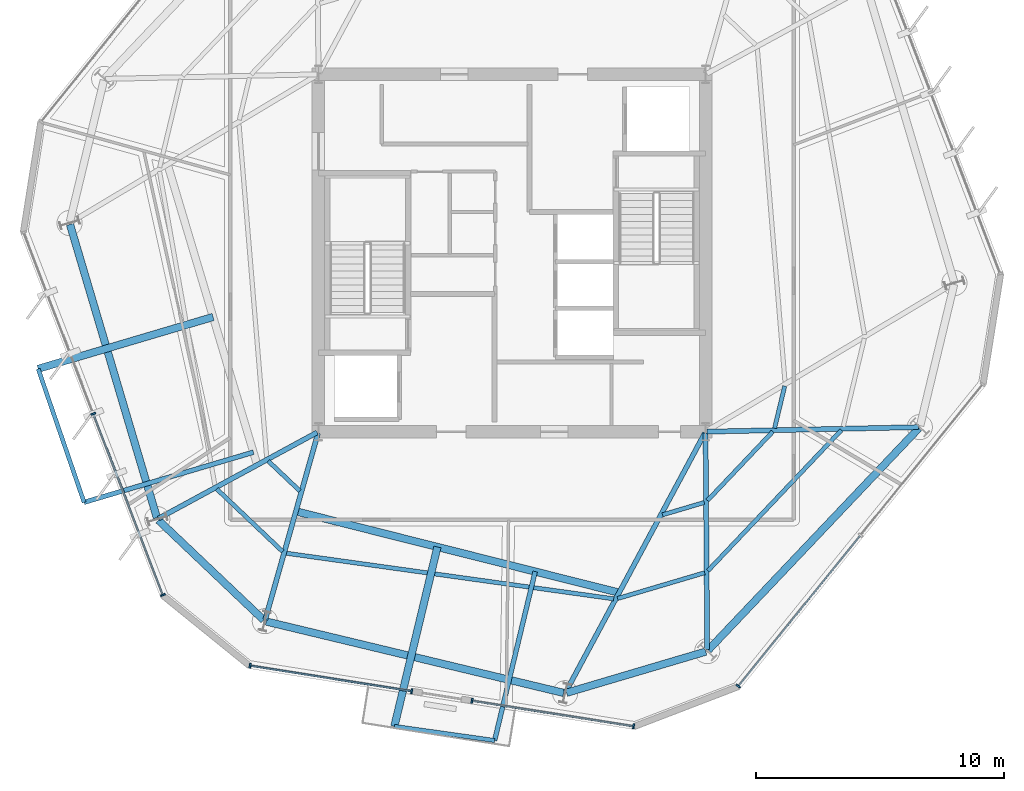
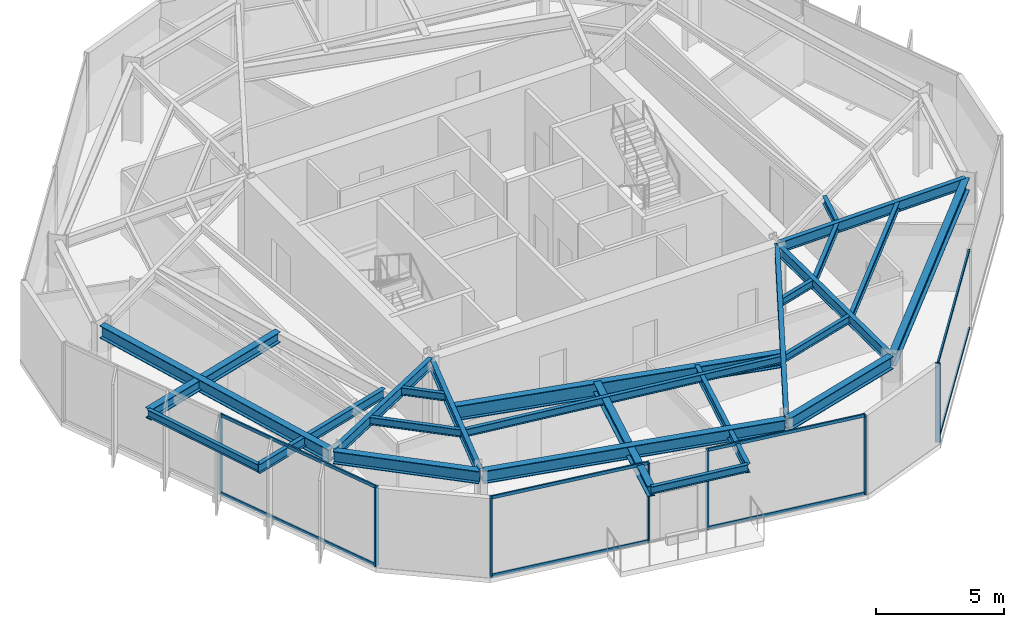
# One storey, part 2 of 11: 25 beams, 15 members, 4 elements without a shape of their own.
"""IFC4 building model written with IfcOpenShell, lengths in metres."""

from ifc_helpers import new_model, si_unit, direction, frame, origin, origin_2d, place, context, subcontext, project, spatial, rectangle, i_section, extrude, material, layer, layer_set, material_profile, profile_set, type_object, element, aggregate, save


model = new_model("IFC4")

# Units and contexts
model_context = context("Model", 3, precision=1e-05, world=origin(), true_north=direction((0.0, 1.0)))
body_context = subcontext(model_context, "Body", "Model", "MODEL_VIEW")
ifc_project = project(units=[si_unit("LENGTHUNIT", "METRE"), si_unit("AREAUNIT", "SQUARE_METRE"), si_unit("VOLUMEUNIT", "CUBIC_METRE"), si_unit("PLANEANGLEUNIT", "RADIAN"), si_unit("MASSUNIT", "GRAM", prefix="KILO")], contexts=[model_context])

# Site, building, storey
site_placement = place(None, origin())
site = spatial("IfcSite", under=ifc_project, at=site_placement, CompositionType="ELEMENT")
building_placement = place(site_placement, origin())
building = spatial("IfcBuilding", under=site, at=building_placement, Name="Kranzbogen Civic Tower", CompositionType="ELEMENT")
storey_placement = place(building_placement, frame((0.0, 0.0, 228.800048828125)))
storey = spatial("IfcBuildingStorey", under=building, at=storey_placement, Name="L55", CompositionType="ELEMENT", Elevation=228.800048828125)

# Beams
ifc_material_1 = material(Name="Steel S355", Category="steel")
ifc_material_profile_1 = material_profile(ifc_material_1, i_section(OverallWidth=0.18994140625, OverallDepth=0.449951171875, WebThickness=0.009521484375, FlangeThickness=0.0146484375, at=origin_2d()), Name="IPE 450")
ifc_profile_set_1 = profile_set([ifc_material_profile_1], Name="Steel S355")
beam_type_1 = type_object("IfcBeamType", Name="Braced Terrace Edge Beam IPE 450", PredefinedType="BEAM", material=ifc_profile_set_1)
beam_1_placement = place(storey_placement, frame((25.93310546875, 12.1640625, 3.52490234375), z_axis=(-0.233384821969, -0.972384453225, 0.0), x_axis=(0.972384453225, -0.233384821969, 0.0)))
element("IfcBeam", 1, at=beam_1_placement, inside=storey, type_object=beam_type_1, Name="L56 back-spanned terrace beam L56-TB2-2", PredefinedType="BEAM", context=body_context, shape_type="SweptSolid", body=[
    extrude(i_section(OverallWidth=0.18994140625, OverallDepth=0.449951171875, WebThickness=0.009521484375, FlangeThickness=0.0146484375, at=origin_2d()), origin(), (0.0, 0.0, 1.0), 7.00146484375),
])
beam_2_placement = place(storey_placement, frame((14.580078125, 16.97412109375, 3.494873046875), z_axis=(-0.958801920345, -0.284075478601, 0.0), x_axis=(0.284075478601, -0.958801920345, 0.0)))
element("IfcBeam", 2, at=beam_2_placement, inside=storey, type_object=beam_type_1, Name="L56 back-spanned terrace beam L56-ST-2", PredefinedType="BEAM", context=body_context, shape_type="SweptSolid", body=[
    extrude(i_section(OverallWidth=0.18994140625, OverallDepth=0.449951171875, WebThickness=0.009521484375, FlangeThickness=0.0146484375, at=origin_2d()), origin(), (0.0, 0.0, 1.0), 7.115234375),
])

# Curtain wall, members
ifc_material_2 = material(Name="Pale Anodised Aluminium", Category="aluminium")
ifc_layer = layer(ifc_material_2, 0.219970703125, Name="Pale Anodised Aluminium")
ifc_layer_set = layer_set([ifc_layer], Name="Pale Anodised Aluminium")
curtain_wall_type = type_object("IfcCurtainWallType", Name="Zone 3 Stick Curtain Wall System CW-04", PredefinedType="USERDEFINED", material=ifc_layer_set)
curtain_wall_1_placement = place(storey_placement, origin())
curtain_wall_1 = element("IfcCurtainWall", 3, at=curtain_wall_1_placement, inside=storey, type_object=curtain_wall_type, Name="L55 curtain wall CW-L55-F3", ObjectType="STICK CURTAIN WALL", PredefinedType="USERDEFINED")
ifc_material_profile_2 = material_profile(ifc_material_2, rectangle(XDim=0.070068359375, YDim=0.199951171875, at=origin_2d()), Name="ALU-M 70x200")
ifc_profile_set_2 = profile_set([ifc_material_profile_2], Name="Pale Anodised Aluminium")
member_type_1 = type_object("IfcMemberType", Name="Curtain Wall Mullion ALU-M 70x200", PredefinedType="MULLION", material=ifc_profile_set_2)
member_1_placement = place(storey_placement, frame((8.12841796875, 18.5234375, 0.0), z_axis=(0.0, 0.0, 1.0), x_axis=(0.3583476378, -0.933588223192, 0.0)))
member_1 = element("IfcMember", 4, at=member_1_placement, type_object=member_type_1, Name="CW-04 mullion 2", PredefinedType="MULLION", context=body_context, shape_type="SweptSolid", body=[
    extrude(rectangle(XDim=0.070068359375, YDim=0.199951171875, at=origin_2d()), origin(), (0.0, 0.0, 1.0), 3.780029296875),
])
member_2_placement = place(storey_placement, frame((10.93212890625, 11.218994140625, 0.0), z_axis=(0.0, 0.0, 1.0), x_axis=(0.3583476378, -0.933588223192, 0.0)))
member_2 = element("IfcMember", 5, at=member_2_placement, type_object=member_type_1, Name="CW-04 mullion 3", PredefinedType="MULLION", context=body_context, shape_type="SweptSolid", body=[
    extrude(rectangle(XDim=0.070068359375, YDim=0.199951171875, at=origin_2d()), origin(), (0.0, 0.0, 1.0), 3.780029296875),
])

curtain_wall_2_placement = place(storey_placement, origin())
curtain_wall_2 = element("IfcCurtainWall", 6, at=curtain_wall_2_placement, inside=storey, type_object=curtain_wall_type, Name="L55 curtain wall CW-L55-F4-S1", ObjectType="STICK CURTAIN WALL", PredefinedType="USERDEFINED")
member_3_placement = place(storey_placement, frame((14.445556640625, 8.374267578125, 0.0), z_axis=(0.0, 0.0, 1.0), x_axis=(0.987709289801, -0.156302139592, 0.0)))
member_3 = element("IfcMember", 7, at=member_3_placement, type_object=member_type_1, Name="CW-04 mullion 1", PredefinedType="MULLION", context=body_context, shape_type="SweptSolid", body=[
    extrude(rectangle(XDim=0.070068359375, YDim=0.199951171875, at=origin_2d()), origin(), (0.0, 0.0, 1.0), 3.780029296875),
])
member_4_placement = place(storey_placement, frame((20.958251953125, 7.34375, 0.0), z_axis=(0.0, 0.0, 1.0), x_axis=(0.987709289801, -0.156302139592, 0.0)))
member_4 = element("IfcMember", 8, at=member_4_placement, type_object=member_type_1, Name="CW-04 mullion 2", PredefinedType="MULLION", context=body_context, shape_type="SweptSolid", body=[
    extrude(rectangle(XDim=0.070068359375, YDim=0.199951171875, at=origin_2d()), origin(), (0.0, 0.0, 1.0), 3.780029296875),
])

curtain_wall_3_placement = place(storey_placement, origin())
curtain_wall_3 = element("IfcCurtainWall", 9, at=curtain_wall_3_placement, inside=storey, type_object=curtain_wall_type, Name="L55 curtain wall CW-L55-F4-S2", ObjectType="STICK CURTAIN WALL", PredefinedType="USERDEFINED")
member_5_placement = place(storey_placement, frame((23.3876953125, 6.958251953125, 0.0), z_axis=(0.0, 0.0, 1.0), x_axis=(0.987709289801, -0.156302139592, 0.0)))
member_5 = element("IfcMember", 10, at=member_5_placement, type_object=member_type_1, Name="CW-04 mullion 1", PredefinedType="MULLION", context=body_context, shape_type="SweptSolid", body=[
    extrude(rectangle(XDim=0.070068359375, YDim=0.199951171875, at=origin_2d()), origin(), (0.0, 0.0, 1.0), 3.780029296875),
])
member_6_placement = place(storey_placement, frame((29.900390625, 5.927734375, 0.0), z_axis=(0.0, 0.0, 1.0), x_axis=(0.987709289801, -0.156302139592, 0.0)))
member_6 = element("IfcMember", 11, at=member_6_placement, type_object=member_type_1, Name="CW-04 mullion 2", PredefinedType="MULLION", context=body_context, shape_type="SweptSolid", body=[
    extrude(rectangle(XDim=0.070068359375, YDim=0.199951171875, at=origin_2d()), origin(), (0.0, 0.0, 1.0), 3.780029296875),
])

# Curtain wall, member
curtain_wall_4_placement = place(storey_placement, origin())
curtain_wall_4 = element("IfcCurtainWall", 12, at=curtain_wall_4_placement, inside=storey, type_object=curtain_wall_type, Name="L55 curtain wall CW-L55-F5", ObjectType="STICK CURTAIN WALL", PredefinedType="USERDEFINED")
member_7_placement = place(storey_placement, frame((34.119873046875, 7.54638671875, 0.0), z_axis=(0.0, 0.0, 1.0), x_axis=(0.629357543601, 0.777115874444, 0.0)))
member_7 = element("IfcMember", 13, at=member_7_placement, type_object=member_type_1, Name="CW-04 mullion 1", PredefinedType="MULLION", context=body_context, shape_type="SweptSolid", body=[
    extrude(rectangle(XDim=0.070068359375, YDim=0.199951171875, at=origin_2d()), origin(), (0.0, 0.0, 1.0), 3.780029296875),
])

# Member
ifc_material_profile_3 = material_profile(ifc_material_2, rectangle(XDim=0.070068359375, YDim=0.14990234375, at=origin_2d()), Name="ALU-T 70x150")
ifc_profile_set_3 = profile_set([ifc_material_profile_3], Name="Pale Anodised Aluminium")
member_type_2 = type_object("IfcMemberType", Name="Curtain Wall Transom ALU-T 70x150", PredefinedType="USERDEFINED", material=ifc_profile_set_3)
member_8_placement = place(storey_placement, frame((8.13916015625, 18.49560546875, 0.030029296875), z_axis=(0.358342647963, -0.933590138471, 0.0), x_axis=(0.933590138471, 0.358342647963, 0.0)))
member_8 = element("IfcMember", 14, at=member_8_placement, type_object=member_type_2, Name="CW-04 transom 2.1", ObjectType="TRANSOM", PredefinedType="USERDEFINED", context=body_context, shape_type="SweptSolid", body=[
    extrude(rectangle(XDim=0.070068359375, YDim=0.14990234375, at=origin_2d()), origin(), (0.0, 0.0, 1.0), 7.76416015625),
])

member_9_placement = place(storey_placement, frame((8.13916015625, 18.49560546875, 3.75), z_axis=(0.358342647963, -0.933590138471, 0.0), x_axis=(0.933590138471, 0.358342647963, 0.0)))
member_9 = element("IfcMember", 15, at=member_9_placement, type_object=member_type_2, Name="CW-04 transom 2.2", ObjectType="TRANSOM", PredefinedType="USERDEFINED", context=body_context, shape_type="SweptSolid", body=[
    extrude(rectangle(XDim=0.070068359375, YDim=0.14990234375, at=origin_2d()), origin(), (0.0, 0.0, 1.0), 7.76416015625),
])

aggregate(curtain_wall_1, [member_1, member_2, member_8, member_9])

member_10_placement = place(storey_placement, frame((14.475341796875, 8.36962890625, 0.030029296875), z_axis=(0.987708977314, -0.156304114255, 0.0), x_axis=(0.156304114255, 0.987708977314, 0.0)))
member_10 = element("IfcMember", 16, at=member_10_placement, type_object=member_type_2, Name="CW-04 transom 1.1", ObjectType="TRANSOM", PredefinedType="USERDEFINED", context=body_context, shape_type="SweptSolid", body=[
    extrude(rectangle(XDim=0.070068359375, YDim=0.14990234375, at=origin_2d()), origin(), (0.0, 0.0, 1.0), 6.53369140625),
])

member_11_placement = place(storey_placement, frame((14.475341796875, 8.36962890625, 3.75), z_axis=(0.987708977314, -0.156304114255, 0.0), x_axis=(0.156304114255, 0.987708977314, 0.0)))
member_11 = element("IfcMember", 17, at=member_11_placement, type_object=member_type_2, Name="CW-04 transom 1.2", ObjectType="TRANSOM", PredefinedType="USERDEFINED", context=body_context, shape_type="SweptSolid", body=[
    extrude(rectangle(XDim=0.070068359375, YDim=0.14990234375, at=origin_2d()), origin(), (0.0, 0.0, 1.0), 6.53369140625),
])

aggregate(curtain_wall_2, [member_3, member_4, member_10, member_11])

member_12_placement = place(storey_placement, frame((23.417236328125, 6.95361328125, 0.030029296875), z_axis=(0.987709890164, -0.156298345712, 0.0), x_axis=(0.156298345712, 0.987709890164, 0.0)))
member_12 = element("IfcMember", 18, at=member_12_placement, type_object=member_type_2, Name="CW-04 transom 1.1", ObjectType="TRANSOM", PredefinedType="USERDEFINED", context=body_context, shape_type="SweptSolid", body=[
    extrude(rectangle(XDim=0.070068359375, YDim=0.14990234375, at=origin_2d()), origin(), (0.0, 0.0, 1.0), 6.533935546875),
])

member_13_placement = place(storey_placement, frame((23.417236328125, 6.95361328125, 3.75), z_axis=(0.987709890164, -0.156298345712, 0.0), x_axis=(0.156298345712, 0.987709890164, 0.0)))
member_13 = element("IfcMember", 19, at=member_13_placement, type_object=member_type_2, Name="CW-04 transom 1.2", ObjectType="TRANSOM", PredefinedType="USERDEFINED", context=body_context, shape_type="SweptSolid", body=[
    extrude(rectangle(XDim=0.070068359375, YDim=0.14990234375, at=origin_2d()), origin(), (0.0, 0.0, 1.0), 6.533935546875),
])

aggregate(curtain_wall_3, [member_5, member_6, member_12, member_13])

member_14_placement = place(storey_placement, frame((34.138671875, 7.569580078125, 0.030029296875), z_axis=(0.62935832297, 0.777115243261, 0.0), x_axis=(-0.777115243261, 0.62935832297, 0.0)))
member_14 = element("IfcMember", 20, at=member_14_placement, type_object=member_type_2, Name="CW-04 transom 1.1", ObjectType="TRANSOM", PredefinedType="USERDEFINED", context=body_context, shape_type="SweptSolid", body=[
    extrude(rectangle(XDim=0.070068359375, YDim=0.14990234375, at=origin_2d()), origin(), (0.0, 0.0, 1.0), 7.76416015625),
])

member_15_placement = place(storey_placement, frame((34.138671875, 7.569580078125, 3.75), z_axis=(0.62935832297, 0.777115243261, 0.0), x_axis=(-0.777115243261, 0.62935832297, 0.0)))
member_15 = element("IfcMember", 21, at=member_15_placement, type_object=member_type_2, Name="CW-04 transom 1.2", ObjectType="TRANSOM", PredefinedType="USERDEFINED", context=body_context, shape_type="SweptSolid", body=[
    extrude(rectangle(XDim=0.070068359375, YDim=0.14990234375, at=origin_2d()), origin(), (0.0, 0.0, 1.0), 7.76416015625),
])

aggregate(curtain_wall_4, [member_7, member_14, member_15])

# Beams
ifc_material_profile_4 = material_profile(ifc_material_1, i_section(OverallWidth=0.300048828125, OverallDepth=0.5, WebThickness=0.014404296875, FlangeThickness=0.028076171875, at=origin_2d()), Name="HEB 500")
ifc_profile_set_4 = profile_set([ifc_material_profile_4], Name="Steel S355")
beam_type_2 = type_object("IfcBeamType", Name="Perimeter Tube Spandrel Beam HEB 500", PredefinedType="SPANDREL", material=ifc_profile_set_4)
beam_3_placement = place(storey_placement, frame((21.9951171875, 13.156005859375, 3.5), z_axis=(-0.233426337976, -0.97237448791, 0.0), x_axis=(0.97237448791, -0.233426337976, 0.0)))
element("IfcBeam", 22, at=beam_3_placement, inside=storey, type_object=beam_type_2, Name="L56 back-spanned terrace beam L56-TB2-1", PredefinedType="SPANDREL", context=body_context, shape_type="SweptSolid", body=[
    extrude(i_section(OverallWidth=0.300048828125, OverallDepth=0.5, WebThickness=0.014404296875, FlangeThickness=0.028076171875, at=origin_2d()), origin(), (0.0, 0.0, 1.0), 7.4375),
])
beam_4_placement = place(storey_placement, frame((12.9541015625, 22.423095703125, 3.469970703125), z_axis=(-0.958768959023, -0.284186704852, 0.0), x_axis=(0.284186704852, -0.958768959023, 0.0)))
element("IfcBeam", 23, at=beam_4_placement, inside=storey, type_object=beam_type_2, Name="L56 back-spanned terrace beam L56-ST-1", PredefinedType="SPANDREL", context=body_context, shape_type="SweptSolid", body=[
    extrude(i_section(OverallWidth=0.300048828125, OverallDepth=0.5, WebThickness=0.014404296875, FlangeThickness=0.028076171875, at=origin_2d()), origin(), (0.0, 0.0, 1.0), 7.35107421875),
])
ifc_material_profile_5 = material_profile(ifc_material_1, i_section(OverallWidth=0.300048828125, OverallDepth=0.60009765625, WebThickness=0.015380859375, FlangeThickness=0.030029296875, at=origin_2d()), Name="HEB 600")
ifc_profile_set_5 = profile_set([ifc_material_profile_5], Name="Steel S355")
beam_type_3 = type_object("IfcBeamType", Name="Perimeter Tube Spandrel Beam HEB 600", PredefinedType="SPANDREL", material=ifc_profile_set_5)
beam_5_placement = place(storey_placement, frame((10.7509765625, 14.235107421875, 3.47998046875), z_axis=(0.725245206788, -0.688490660816, 0.0), x_axis=(0.688490660816, 0.725245206788, 0.0)))
element("IfcBeam", 24, at=beam_5_placement, inside=storey, type_object=beam_type_3, Name="L55 perimeter spandrel beam 01", PredefinedType="SPANDREL", context=body_context, shape_type="SweptSolid", body=[
    extrude(i_section(OverallWidth=0.300048828125, OverallDepth=0.60009765625, WebThickness=0.015380859375, FlangeThickness=0.030029296875, at=origin_2d()), origin(), (0.0, 0.0, 1.0), 5.85205078125),
])
beam_6_placement = place(storey_placement, frame((15.096923828125, 10.15087890625, 3.47998046875), z_axis=(0.972377592092, -0.233413406637, 0.0), x_axis=(0.233413406637, 0.972377592092, 0.0)))
element("IfcBeam", 25, at=beam_6_placement, inside=storey, type_object=beam_type_3, Name="L55 perimeter spandrel beam 02", PredefinedType="SPANDREL", context=body_context, shape_type="SweptSolid", body=[
    extrude(i_section(OverallWidth=0.300048828125, OverallDepth=0.60009765625, WebThickness=0.015380859375, FlangeThickness=0.030029296875, at=origin_2d()), origin(), (0.0, 0.0, 1.0), 12.32568359375),
])
beam_7_placement = place(storey_placement, frame((27.197998046875, 7.277099609375, 3.47998046875), z_axis=(0.9588296723, 0.283981794341, 0.0), x_axis=(-0.283981794341, 0.9588296723, 0.0)))
element("IfcBeam", 26, at=beam_7_placement, inside=storey, type_object=beam_type_3, Name="L55 perimeter spandrel beam 03", PredefinedType="SPANDREL", context=body_context, shape_type="SweptSolid", body=[
    extrude(i_section(OverallWidth=0.300048828125, OverallDepth=0.60009765625, WebThickness=0.015380859375, FlangeThickness=0.030029296875, at=origin_2d()), origin(), (0.0, 0.0, 1.0), 5.85205078125),
])
beam_8_placement = place(storey_placement, frame((32.907958984375, 9.0, 3.47998046875), z_axis=(0.688373497874, 0.725356414065, 0.0), x_axis=(-0.725356414065, 0.688373497874, 0.0)))
element("IfcBeam", 27, at=beam_8_placement, inside=storey, type_object=beam_type_3, Name="L55 perimeter spandrel beam 04", PredefinedType="SPANDREL", context=body_context, shape_type="SweptSolid", body=[
    extrude(i_section(OverallWidth=0.300048828125, OverallDepth=0.60009765625, WebThickness=0.015380859375, FlangeThickness=0.030029296875, at=origin_2d()), origin(), (0.0, 0.0, 1.0), 12.324951171875),
])
beam_9_placement = place(storey_placement, frame((7.18896484375, 26.15087890625, 3.47998046875), z_axis=(0.284064048956, -0.958805306666, 0.0), x_axis=(0.958805306666, 0.284064048956, 0.0)))
element("IfcBeam", 28, at=beam_9_placement, inside=storey, type_object=beam_type_3, Name="L55 perimeter spandrel beam 12", PredefinedType="SPANDREL", context=body_context, shape_type="SweptSolid", body=[
    extrude(i_section(OverallWidth=0.300048828125, OverallDepth=0.60009765625, WebThickness=0.015380859375, FlangeThickness=0.030029296875, at=origin_2d()), origin(), (0.0, 0.0, 1.0), 12.32470703125),
])
ifc_material_profile_6 = material_profile(ifc_material_1, i_section(OverallWidth=0.300048828125, OverallDepth=0.699951171875, WebThickness=0.01708984375, FlangeThickness=0.031982421875, at=origin_2d()), Name="HEB 700")
ifc_profile_set_6 = profile_set([ifc_material_profile_6], Name="Steel S355")
beam_type_4 = type_object("IfcBeamType", Name="Perimeter Tube Spandrel Beam HEB 700", PredefinedType="SPANDREL", material=ifc_profile_set_6)
beam_10_placement = place(storey_placement, frame((16.2919921875, 14.591064453125, 3.39990234375), z_axis=(0.969754167823, -0.244083702834, 0.0), x_axis=(0.244083702834, 0.969754167823, 0.0)))
element("IfcBeam", 29, at=beam_10_placement, inside=storey, type_object=beam_type_4, Name="L56 balcony back-span header girder L56-TB2", PredefinedType="SPANDREL", context=body_context, shape_type="SweptSolid", body=[
    extrude(i_section(OverallWidth=0.300048828125, OverallDepth=0.699951171875, WebThickness=0.01708984375, FlangeThickness=0.031982421875, at=origin_2d()), origin(), (0.0, 0.0, 1.0), 13.43017578125),
])
ifc_material_profile_7 = material_profile(ifc_material_1, i_section(OverallWidth=0.199951171875, OverallDepth=0.5, WebThickness=0.01025390625, FlangeThickness=0.01611328125, at=origin_2d()), Name="IPE 500")
ifc_profile_set_7 = profile_set([ifc_material_profile_7], Name="Steel S355")
beam_type_5 = type_object("IfcBeamType", Name="Radial Tower Floor Girder IPE 500", PredefinedType="BEAM", material=ifc_profile_set_7)
beam_11_placement = place(storey_placement, frame((10.760009765625, 14.304931640625, 3.530029296875), z_axis=(0.878919430102, 0.476970266777, 0.0), x_axis=(-0.476970266777, 0.878919430102, 0.0)))
element("IfcBeam", 30, at=beam_11_placement, inside=storey, type_object=beam_type_5, Name="L55 radial floor girder 01", PredefinedType="BEAM", context=body_context, shape_type="SweptSolid", body=[
    extrude(i_section(OverallWidth=0.199951171875, OverallDepth=0.5, WebThickness=0.01025390625, FlangeThickness=0.01611328125, at=origin_2d()), origin(), (0.0, 0.0, 1.0), 7.266845703125),
])
beam_12_placement = place(storey_placement, frame((15.054931640625, 10.222900390625, 3.530029296875), z_axis=(0.272455078988, 0.962168503919, 0.0), x_axis=(-0.962168503919, 0.272455078988, 0.0)))
element("IfcBeam", 31, at=beam_12_placement, inside=storey, type_object=beam_type_5, Name="L55 radial floor girder 02", PredefinedType="BEAM", context=body_context, shape_type="SweptSolid", body=[
    extrude(i_section(OverallWidth=0.199951171875, OverallDepth=0.5, WebThickness=0.01025390625, FlangeThickness=0.01611328125, at=origin_2d()), origin(), (0.0, 0.0, 1.0), 7.814697265625),
])
beam_13_placement = place(storey_placement, frame((27.16796875, 7.31298828125, 3.530029296875), z_axis=(0.473160413549, 0.880976289721, 0.0), x_axis=(-0.880976289721, 0.473160413549, 0.0)))
element("IfcBeam", 32, at=beam_13_placement, inside=storey, type_object=beam_type_5, Name="L55 radial floor girder 03", PredefinedType="BEAM", context=body_context, shape_type="SweptSolid", body=[
    extrude(i_section(OverallWidth=0.199951171875, OverallDepth=0.5, WebThickness=0.01025390625, FlangeThickness=0.01611328125, at=origin_2d()), origin(), (0.0, 0.0, 1.0), 11.84375),
])
beam_14_placement = place(storey_placement, frame((32.866943359375, 9.01611328125, 3.530029296875), z_axis=(-0.007667756557, 0.999970602323, 0.0), x_axis=(-0.999970602323, -0.007667756557, 0.0)))
element("IfcBeam", 33, at=beam_14_placement, inside=storey, type_object=beam_type_5, Name="L55 radial floor girder 04", PredefinedType="BEAM", context=body_context, shape_type="SweptSolid", body=[
    extrude(i_section(OverallWidth=0.199951171875, OverallDepth=0.5, WebThickness=0.01025390625, FlangeThickness=0.01611328125, at=origin_2d()), origin(), (0.0, 0.0, 1.0), 8.72412109375),
])
beam_15_placement = place(storey_placement, frame((41.373046875, 17.98291015625, 3.530029296875), z_axis=(-0.99977183191, -0.021360808018, 0.0), x_axis=(0.021360808018, -0.99977183191, 0.0)))
element("IfcBeam", 34, at=beam_15_placement, inside=storey, type_object=beam_type_5, Name="L55 radial floor girder 05", PredefinedType="BEAM", context=body_context, shape_type="SweptSolid", body=[
    extrude(i_section(OverallWidth=0.199951171875, OverallDepth=0.5, WebThickness=0.01025390625, FlangeThickness=0.01611328125, at=origin_2d()), origin(), (0.0, 0.0, 1.0), 8.514892578125),
])
ifc_material_profile_8 = material_profile(ifc_material_1, i_section(OverallWidth=0.169921875, OverallDepth=0.360107421875, WebThickness=0.008056640625, FlangeThickness=0.0126953125, at=origin_2d()), Name="IPE 360")
ifc_profile_set_8 = profile_set([ifc_material_profile_8], Name="Steel S355")
beam_type_6 = type_object("IfcBeamType", Name="Secondary Composite Floor Joist IPE 360", PredefinedType="JOIST", material=ifc_profile_set_8)
beam_16_placement = place(storey_placement, frame((13.10302734375, 15.489990234375, 3.599853515625), z_axis=(0.725300648604, -0.688432254572, 0.0), x_axis=(0.688432254572, 0.725300648604, 0.0)))
element("IfcBeam", 35, at=beam_16_placement, inside=storey, type_object=beam_type_6, Name="L55 secondary floor joist 1.01", PredefinedType="JOIST", context=body_context, shape_type="SweptSolid", body=[
    extrude(i_section(OverallWidth=0.169921875, OverallDepth=0.360107421875, WebThickness=0.008056640625, FlangeThickness=0.0126953125, at=origin_2d()), origin(), (0.0, 0.0, 1.0), 3.661865234375),
])
beam_17_placement = place(storey_placement, frame((15.179931640625, 16.616943359375, 3.599853515625), z_axis=(0.725479767774, -0.688243493649, 0.0), x_axis=(0.688243493649, 0.725479767774, 0.0)))
element("IfcBeam", 36, at=beam_17_placement, inside=storey, type_object=beam_type_6, Name="L55 secondary floor joist 2.01", PredefinedType="JOIST", context=body_context, shape_type="SweptSolid", body=[
    extrude(i_section(OverallWidth=0.169921875, OverallDepth=0.360107421875, WebThickness=0.008056640625, FlangeThickness=0.0126953125, at=origin_2d()), origin(), (0.0, 0.0, 1.0), 1.75048828125),
])
beam_18_placement = place(storey_placement, frame((15.89599609375, 12.903076171875, 3.599853515625), z_axis=(0.990445837232, -0.137902296968, 0.0), x_axis=(0.137902296968, 0.990445837232, 0.0)))
element("IfcBeam", 37, at=beam_18_placement, inside=storey, type_object=beam_type_6, Name="L55 secondary floor joist 1.02", PredefinedType="JOIST", context=body_context, shape_type="SweptSolid", body=[
    extrude(i_section(OverallWidth=0.169921875, OverallDepth=0.360107421875, WebThickness=0.008056640625, FlangeThickness=0.0126953125, at=origin_2d()), origin(), (0.0, 0.0, 1.0), 13.329345703125),
])
beam_19_placement = place(storey_placement, frame((29.25390625, 11.076904296875, 3.599853515625), z_axis=(0.958843823165, 0.283934011309, 0.0), x_axis=(-0.283934011309, 0.958843823165, 0.0)))
element("IfcBeam", 38, at=beam_19_placement, inside=storey, type_object=beam_type_6, Name="L55 secondary floor joist 1.03", PredefinedType="JOIST", context=body_context, shape_type="SweptSolid", body=[
    extrude(i_section(OverallWidth=0.169921875, OverallDepth=0.360107421875, WebThickness=0.008056640625, FlangeThickness=0.0126953125, at=origin_2d()), origin(), (0.0, 0.0, 1.0), 3.662841796875),
])
beam_20_placement = place(storey_placement, frame((31.06591796875, 14.449951171875, 3.599853515625), z_axis=(0.958871214757, 0.283841493638, 0.0), x_axis=(-0.283841493638, 0.958871214757, 0.0)))
element("IfcBeam", 39, at=beam_20_placement, inside=storey, type_object=beam_type_6, Name="L55 secondary floor joist 2.03", PredefinedType="JOIST", context=body_context, shape_type="SweptSolid", body=[
    extrude(i_section(OverallWidth=0.169921875, OverallDepth=0.360107421875, WebThickness=0.008056640625, FlangeThickness=0.0126953125, at=origin_2d()), origin(), (0.0, 0.0, 1.0), 1.751220703125),
])
beam_21_placement = place(storey_placement, frame((32.89794921875, 12.197998046875, 3.599853515625), z_axis=(0.688282381634, 0.725442873789, 0.0), x_axis=(-0.725442873789, 0.688282381634, 0.0)))
element("IfcBeam", 40, at=beam_21_placement, inside=storey, type_object=beam_type_6, Name="L55 secondary floor joist 1.04", PredefinedType="JOIST", context=body_context, shape_type="SweptSolid", body=[
    extrude(i_section(OverallWidth=0.169921875, OverallDepth=0.360107421875, WebThickness=0.008056640625, FlangeThickness=0.0126953125, at=origin_2d()), origin(), (0.0, 0.0, 1.0), 7.804931640625),
])
beam_22_placement = place(storey_placement, frame((32.876953125, 15.028076171875, 3.599853515625), z_axis=(0.688175084876, 0.725544659243, 0.0), x_axis=(-0.725544659243, 0.688175084876, 0.0)))
element("IfcBeam", 41, at=beam_22_placement, inside=storey, type_object=beam_type_6, Name="L55 secondary floor joist 2.04", PredefinedType="JOIST", context=body_context, shape_type="SweptSolid", body=[
    extrude(i_section(OverallWidth=0.169921875, OverallDepth=0.360107421875, WebThickness=0.008056640625, FlangeThickness=0.0126953125, at=origin_2d()), origin(), (0.0, 0.0, 1.0), 3.82177734375),
])
beam_23_placement = place(storey_placement, frame((35.5810546875, 17.93701171875, 3.599853515625), z_axis=(0.233631438607, 0.972325228972, 0.0), x_axis=(-0.972325228972, 0.233631438607, 0.0)))
element("IfcBeam", 42, at=beam_23_placement, inside=storey, type_object=beam_type_6, Name="L55 secondary floor joist 2.05", PredefinedType="JOIST", context=body_context, shape_type="SweptSolid", body=[
    extrude(i_section(OverallWidth=0.169921875, OverallDepth=0.360107421875, WebThickness=0.008056640625, FlangeThickness=0.0126953125, at=origin_2d()), origin(), (0.0, 0.0, 1.0), 1.750244140625),
])
beam_24_placement = place(storey_placement, frame((20.259033203125, 5.924072265625, 3.570068359375), z_axis=(0.990257094583, -0.139251163832, 0.0), x_axis=(0.139251163832, 0.990257094583, 0.0)))
element("IfcBeam", 43, at=beam_24_placement, inside=storey, type_object=beam_type_6, Name="L56 terrace outer edge trimmer L56-TB2", PredefinedType="JOIST", context=body_context, shape_type="SweptSolid", body=[
    extrude(i_section(OverallWidth=0.169921875, OverallDepth=0.360107421875, WebThickness=0.008056640625, FlangeThickness=0.0126953125, at=origin_2d()), origin(), (0.0, 0.0, 1.0), 4.079833984375),
])
beam_25_placement = place(storey_placement, frame((5.906005859375, 20.333984375, 3.5400390625), z_axis=(0.325440630747, -0.945562475915, 0.0), x_axis=(0.945562475915, 0.325440630747, 0.0)))
element("IfcBeam", 44, at=beam_25_placement, inside=storey, type_object=beam_type_6, Name="L56 terrace outer edge trimmer L56-ST", PredefinedType="JOIST", context=body_context, shape_type="SweptSolid", body=[
    extrude(i_section(OverallWidth=0.169921875, OverallDepth=0.360107421875, WebThickness=0.008056640625, FlangeThickness=0.0126953125, at=origin_2d()), origin(), (0.0, 0.0, 1.0), 5.69091796875),
])

save(model, "model.ifc")
